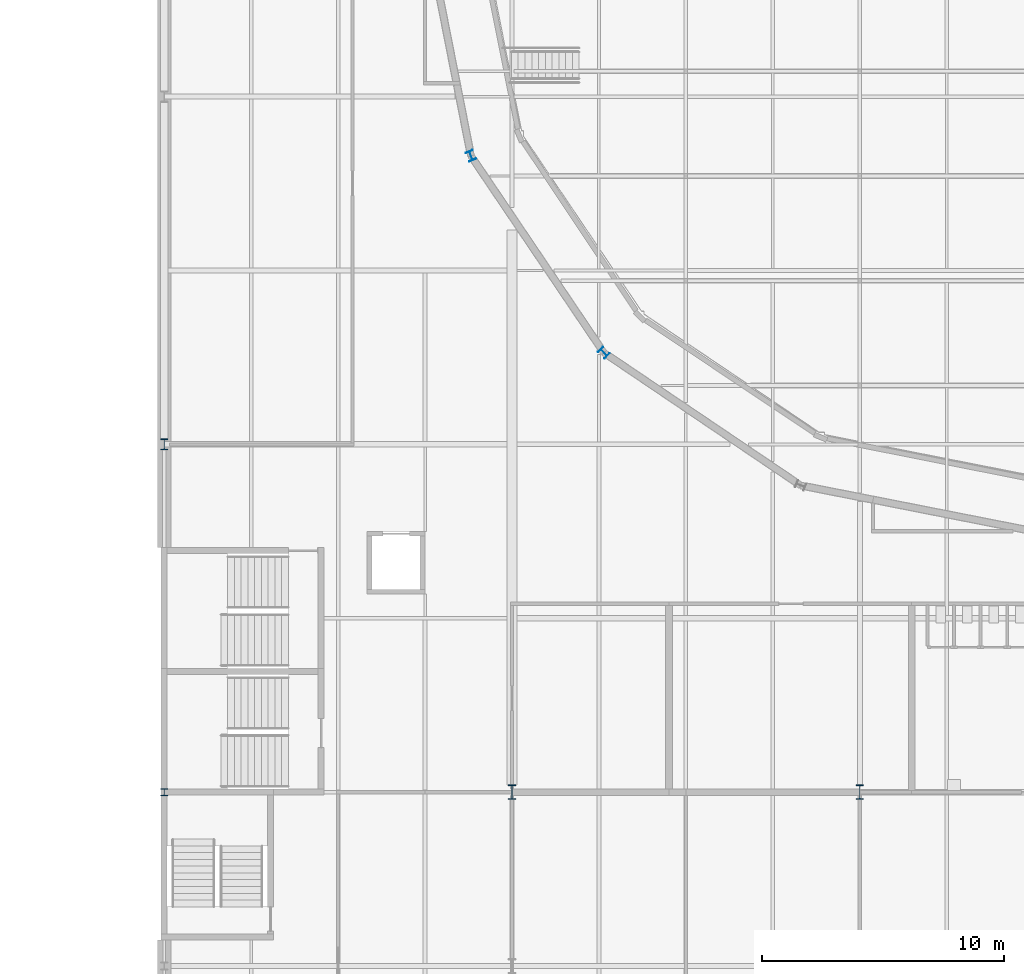
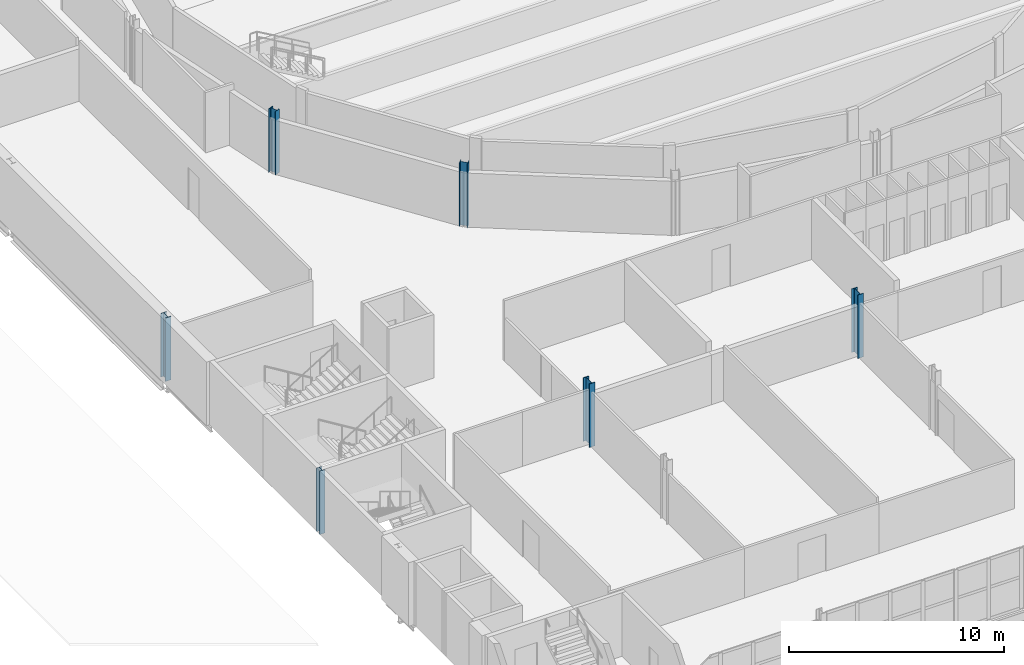
# One storey, part 3 of 90: 6 columns.
"""IFC4 building model written with IfcOpenShell, lengths in metres."""

from ifc_helpers import new_model, si_unit, direction, frame, origin, origin_2d, place, context, subcontext, project, spatial, i_section, extrude, material, material_profile, profile_set, type_object, element, save


model = new_model("IFC4")

# Units and contexts
model_context = context("Model", 3, precision=1e-05, world=origin(), true_north=direction((0.0, 1.0)))
body_context = subcontext(model_context, "Body", "Model", "MODEL_VIEW")
ifc_project = project(units=[si_unit("LENGTHUNIT", "METRE"), si_unit("AREAUNIT", "SQUARE_METRE"), si_unit("VOLUMEUNIT", "CUBIC_METRE"), si_unit("PLANEANGLEUNIT", "RADIAN"), si_unit("MASSUNIT", "GRAM", prefix="KILO")], contexts=[model_context])

# Site, building, storey
site_placement = place(None, origin())
site = spatial("IfcSite", under=ifc_project, at=site_placement, CompositionType="ELEMENT")
building_placement = place(site_placement, origin())
building = spatial("IfcBuilding", under=site, at=building_placement, Name="Kupolbacken Congress Centre", CompositionType="ELEMENT")
storey_placement = place(building_placement, frame((0.0, 0.0, 3.60009765625)))
storey = spatial("IfcBuildingStorey", under=building, at=storey_placement, Name="L01", CompositionType="ELEMENT", Elevation=3.60009765625)

# Columns
ifc_material_1 = material(Name="Steel S355", Category="steel")
ifc_material_profile_1 = material_profile(ifc_material_1, i_section(OverallWidth=0.300048828125, OverallDepth=0.449951171875, WebThickness=0.013916015625, FlangeThickness=0.02587890625, FilletRadius=0.027099609375, at=origin_2d()), Name="HEB 450")
ifc_profile_set_1 = profile_set([ifc_material_profile_1], Name="Steel S355")
column_type_1 = type_object("IfcColumnType", Name="C03 column HEB 450", PredefinedType="COLUMN", material=ifc_profile_set_1)
column_1_placement = place(storey_placement, frame((7.199951171875, 64.800048828125, 0.0), z_axis=(0.0, 0.0, 1.0), x_axis=(1.0, 0.0, 0.0)))
element("IfcColumn", 1, at=column_1_placement, inside=storey, type_object=column_type_1, Name="S/col/C-P-2K/L01", PredefinedType="COLUMN", context=body_context, shape_type="SweptSolid", body=[
    extrude(i_section(OverallWidth=0.300048828125, OverallDepth=0.449951171875, WebThickness=0.013916015625, FlangeThickness=0.02587890625, FilletRadius=0.027099609375, at=origin_2d()), origin(), (0.0, 0.0, 1.0), 3.599853515625),
])
ifc_material_2 = material(Name="Steel S355", Category="steel")
ifc_material_profile_2 = material_profile(ifc_material_2, i_section(OverallWidth=0.300048828125, OverallDepth=0.60009765625, WebThickness=0.015380859375, FlangeThickness=0.030029296875, FilletRadius=0.027099609375, at=origin_2d()), Name="HEB 600")
ifc_profile_set_2 = profile_set([ifc_material_profile_2], Name="Steel S355")
column_type_2 = type_object("IfcColumnType", Name="C05 column HEB 600", PredefinedType="COLUMN", material=ifc_profile_set_2)
for number, where, z_axis, x_axis, name in (
    (2, (21.60009765625, 50.39990234375, 0.0), (0.0, 0.0, 1.0), (1.0, 0.0, 0.0), "S/col/C-F-4H/L01"),
    (3, (36.0, 50.39990234375, 0.0), (0.0, 0.0, 1.0), (1.0, 0.0, 0.0), "S/col/C-F-6H/L01"),
):
    element("IfcColumn", number, at=place(storey_placement, frame(where, z_axis=z_axis, x_axis=x_axis)), inside=storey, type_object=column_type_2, Name=name, PredefinedType="COLUMN", context=body_context, shape_type="SweptSolid", body=[
        extrude(i_section(OverallWidth=0.300048828125, OverallDepth=0.60009765625, WebThickness=0.015380859375, FlangeThickness=0.030029296875, FilletRadius=0.027099609375, at=origin_2d()), origin(), (0.0, 0.0, 1.0), 3.599853515625),
    ])
ifc_material_3 = material(Name="Steel S355", Category="steel")
ifc_material_profile_3 = material_profile(ifc_material_3, i_section(OverallWidth=0.300048828125, OverallDepth=0.300048828125, WebThickness=0.010986328125, FlangeThickness=0.01904296875, FilletRadius=0.027099609375, at=origin_2d()), Name="HEB 300")
ifc_profile_set_3 = profile_set([ifc_material_profile_3], Name="Steel S355")
column_type_3 = type_object("IfcColumnType", Name="C06 column HEB 300", PredefinedType="COLUMN", material=ifc_profile_set_3)
column_2_placement = place(storey_placement, frame((7.199951171875, 50.39990234375, 0.0), z_axis=(0.0, 0.0, 1.0), x_axis=(1.0, 0.0, 0.0)))
element("IfcColumn", 4, at=column_2_placement, inside=storey, type_object=column_type_3, Name="S/col/C-F-2H/L01", PredefinedType="COLUMN", context=body_context, shape_type="SweptSolid", body=[
    extrude(i_section(OverallWidth=0.300048828125, OverallDepth=0.300048828125, WebThickness=0.010986328125, FlangeThickness=0.01904296875, FilletRadius=0.027099609375, at=origin_2d()), origin(), (0.0, 0.0, 1.0), 3.599853515625),
])
ifc_material_4 = material(Name="Steel S355", Category="steel")
ifc_material_profile_4 = material_profile(ifc_material_4, i_section(OverallWidth=0.300048828125, OverallDepth=0.39990234375, WebThickness=0.013427734375, FlangeThickness=0.02392578125, FilletRadius=0.027099609375, at=origin_2d()), Name="HEB 400")
ifc_profile_set_4 = profile_set([ifc_material_profile_4], Name="Steel S355")
column_type_4 = type_object("IfcColumnType", Name="C08 column HEB 400", PredefinedType="COLUMN", material=ifc_profile_set_4)
for number, where, z_axis, x_axis, name in (
    (5, (19.89990234375, 76.75, 0.0), (0.0, 0.0, 1.0), (-0.923896018243, -0.382643629864, 0.0), "S/col/C-D10/L01"),
    (6, (25.39990234375, 68.60009765625, 0.0), (0.0, 0.0, 1.0), (-0.707106781187, -0.707106781187, 0.0), "S/col/C-D11/L01"),
):
    element("IfcColumn", number, at=place(storey_placement, frame(where, z_axis=z_axis, x_axis=x_axis)), inside=storey, type_object=column_type_4, Name=name, PredefinedType="COLUMN", context=body_context, shape_type="SweptSolid", body=[
        extrude(i_section(OverallWidth=0.300048828125, OverallDepth=0.39990234375, WebThickness=0.013427734375, FlangeThickness=0.02392578125, FilletRadius=0.027099609375, at=origin_2d()), origin(), (0.0, 0.0, 1.0), 3.599853515625),
    ])

save(model, "model.ifc")
